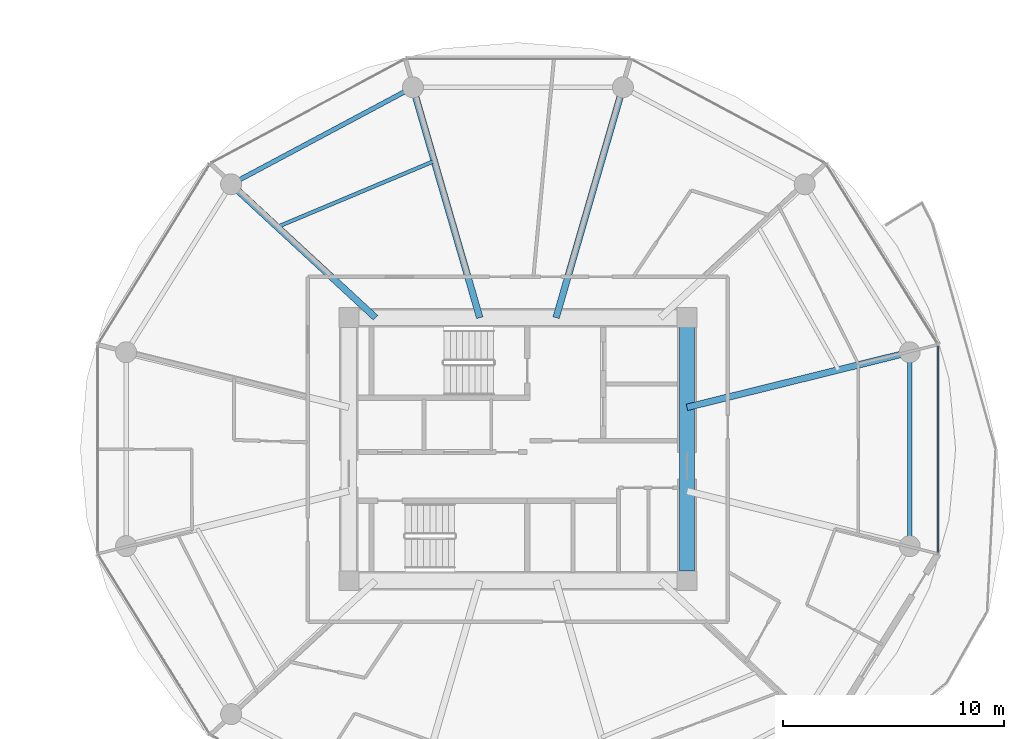
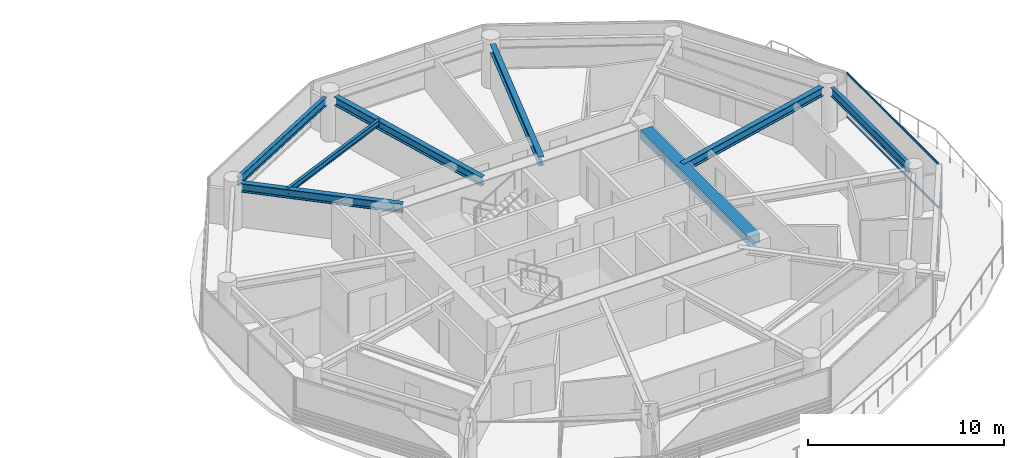
# One storey, part 12 of 27: 8 beams, 2 members, 1 element without a shape of its own.
"""IFC4 building model written with IfcOpenShell, lengths in metres."""

from ifc_helpers import new_model, si_unit, direction, frame, origin, origin_2d, place, context, subcontext, project, spatial, rectangle, i_section, extrude, source, transform, mapped, material, layer, layer_set, material_profile, profile_set, type_object, type_shapes, element, aggregate, save


model = new_model("IFC4")

# Units and contexts
model_context = context("Model", 3, precision=1e-05, world=origin(), true_north=direction((0.0, 1.0)))
body_context = subcontext(model_context, "Body", "Model", "MODEL_VIEW")
ifc_project = project(units=[si_unit("LENGTHUNIT", "METRE"), si_unit("AREAUNIT", "SQUARE_METRE"), si_unit("VOLUMEUNIT", "CUBIC_METRE"), si_unit("PLANEANGLEUNIT", "RADIAN"), si_unit("MASSUNIT", "GRAM", prefix="KILO")], contexts=[model_context])

# Site, building, storey
site_placement = place(None, origin())
site = spatial("IfcSite", under=ifc_project, at=site_placement, CompositionType="ELEMENT")
building_placement = place(site_placement, origin())
building = spatial("IfcBuilding", under=site, at=building_placement, Name="Norrkilde Senior Care Towers", CompositionType="ELEMENT")
storey_placement = place(building_placement, frame((0.0, 0.0, 30.75)))
storey = spatial("IfcBuildingStorey", under=building, at=storey_placement, Name="L08", CompositionType="ELEMENT", Elevation=30.75)

# Beams
ifc_material_1 = material(Name="Concrete C60/75", Category="concrete")
ifc_material_profile_1 = material_profile(ifc_material_1, rectangle(XDim=0.699951171875, YDim=0.550048828125, at=origin_2d()), Name="RC BM 700x550")
ifc_profile_set_1 = profile_set([ifc_material_profile_1], Name="Concrete C60/75")
beam_type_1 = type_object("IfcBeamType", Name="Core Portal Coupling Beam 700x550", PredefinedType="USERDEFINED", material=ifc_profile_set_1)
shared_shape_1 = source(origin(), body_context, "Body", "SweptSolid", [
    extrude(rectangle(XDim=0.699951171875, YDim=0.550048828125, at=origin_2d()), origin(), (0.0, 0.0, 1.0), 11.0400390625),
])
type_shapes(beam_type_1, [shared_shape_1])
beam_1_placement = place(storey_placement, frame((35.64990234375, -5.52001953125, 2.514892578125), z_axis=(0.0, 1.0, 0.0), x_axis=(-1.0, 0.0, 0.0)))
element("IfcBeam", 1, at=beam_1_placement, inside=storey, type_object=beam_type_1, Name="L08 Core E E Coupling Girder", ObjectType="GIRDER", PredefinedType="USERDEFINED", context=body_context, shape_type="MappedRepresentation", body=[
    mapped(shared_shape_1, transform((0.0, 0.0, 0.0), x_axis=(1.0, 0.0, 0.0), y_axis=(0.0, 1.0, 0.0), z_axis=(0.0, 0.0, 1.0), scale=1.0)),
])
ifc_material_2 = material(Name="Steel S355", Category="steel")
ifc_material_profile_2 = material_profile(ifc_material_2, i_section(OverallWidth=0.300048828125, OverallDepth=0.550048828125, WebThickness=0.014892578125, FlangeThickness=0.029052734375, FilletRadius=0.027099609375, at=origin_2d()), Name="HEB 550")
ifc_profile_set_2 = profile_set([ifc_material_profile_2], Name="Steel S355")
beam_type_2 = type_object("IfcBeamType", Name="Radial Floor Beam Z1 HEB550", PredefinedType="BEAM", material=ifc_profile_set_2)
shared_shape_2 = source(origin(), body_context, "Body", "SweptSolid", [
    extrude(i_section(OverallWidth=0.300048828125, OverallDepth=0.550048828125, WebThickness=0.014892578125, FlangeThickness=0.029052734375, FilletRadius=0.027099609375, at=origin_2d()), origin(), (0.0, 0.0, 1.0), 9.94384765625),
])
beam_2_placement = place(storey_placement, frame((35.64990234375, 1.893310546875, 2.514892578125), z_axis=(0.970707425182, 0.240264634718, 0.0), x_axis=(-0.240264634718, 0.970707425182, 0.0)))
element("IfcBeam", 2, at=beam_2_placement, inside=storey, type_object=beam_type_2, Name="L08 Drum E Radial Floor Beam 01", PredefinedType="BEAM", context=body_context, shape_type="MappedRepresentation", body=[
    mapped(shared_shape_2, transform((0.0, 0.0, 0.0), x_axis=(1.0, 0.0, 0.0), y_axis=(0.0, 1.0, 0.0), z_axis=(0.0, 0.0, 1.0), scale=1.0)),
])
ifc_material_profile_3 = material_profile(ifc_material_2, i_section(OverallWidth=0.2099609375, OverallDepth=0.550048828125, WebThickness=0.010986328125, FlangeThickness=0.01708984375, FilletRadius=0.02392578125, at=origin_2d()), Name="IPE 550")
ifc_profile_set_3 = profile_set([ifc_material_profile_3], Name="Steel S355")
beam_type_3 = type_object("IfcBeamType", Name="Perimeter Ring Spandrel Z1 IPE550", PredefinedType="SPANDREL", material=ifc_profile_set_3)
shared_shape_3 = source(origin(), body_context, "Body", "SweptSolid", [
    extrude(i_section(OverallWidth=0.2099609375, OverallDepth=0.550048828125, WebThickness=0.010986328125, FlangeThickness=0.01708984375, FilletRadius=0.02392578125, at=origin_2d()), origin(), (0.0, 0.0, 1.0), 8.452880859375),
])
beam_3_placement = place(storey_placement, frame((22.866943359375, 16.167724609375, 2.514892578125), z_axis=(-0.882368931134, -0.470558252898, 0.0), x_axis=(0.470558252898, -0.882368931134, 0.0)))
element("IfcBeam", 3, at=beam_3_placement, inside=storey, type_object=beam_type_3, Name="L08 Drum E Perimeter Spandrel 04", PredefinedType="SPANDREL", context=body_context, shape_type="MappedRepresentation", body=[
    mapped(shared_shape_3, transform((0.0, 0.0, 0.0), x_axis=(1.0, 0.0, 0.0), y_axis=(0.0, 1.0, 0.0), z_axis=(0.0, 0.0, 1.0), scale=1.0)),
])
shared_shape_4 = source(origin(), body_context, "Body", "SweptSolid", [
    extrude(i_section(OverallWidth=0.300048828125, OverallDepth=0.550048828125, WebThickness=0.014892578125, FlangeThickness=0.029052734375, FilletRadius=0.027099609375, at=origin_2d()), origin(), (0.0, 0.0, 1.0), 8.459716796875),
])
beam_4_placement = place(storey_placement, frame((21.55859375, 5.949951171875, 2.514892578125), z_axis=(-0.734573269108, 0.678529374686, 0.0), x_axis=(-0.678529374686, -0.734573269108, 0.0)))
element("IfcBeam", 4, at=beam_4_placement, inside=storey, type_object=beam_type_2, Name="L08 Drum E Radial Floor Beam 05", PredefinedType="BEAM", context=body_context, shape_type="MappedRepresentation", body=[
    mapped(shared_shape_4, transform((0.0, 0.0, 0.0), x_axis=(1.0, 0.0, 0.0), y_axis=(0.0, 1.0, 0.0), z_axis=(0.0, 0.0, 1.0), scale=1.0)),
])
shared_shape_5 = source(origin(), body_context, "Body", "SweptSolid", [
    extrude(i_section(OverallWidth=0.300048828125, OverallDepth=0.550048828125, WebThickness=0.014892578125, FlangeThickness=0.029052734375, FilletRadius=0.027099609375, at=origin_2d()), origin(), (0.0, 0.0, 1.0), 10.4169921875),
])
type_shapes(beam_type_2, [shared_shape_2, shared_shape_4, shared_shape_5])
for number, where, z_axis, x_axis, name in (
    (5, (29.72607421875, 5.949951171875, 2.514892578125), (0.278591250785, 0.960409764104, 0.0), (-0.960409764104, 0.278591250785, 0.0), "L08 Drum E Radial Floor Beam 03"),
    (6, (26.27392578125, 5.949951171875, 2.514892578125), (-0.278591250785, 0.960409764104, 0.0), (-0.960409764104, -0.278591250785, 0.0), "L08 Drum E Radial Floor Beam 04"),
):
    element("IfcBeam", number, at=place(storey_placement, frame(where, z_axis=z_axis, x_axis=x_axis)), inside=storey, type_object=beam_type_2, Name=name, PredefinedType="BEAM", context=body_context, shape_type="MappedRepresentation", body=[
        mapped(shared_shape_5, transform((0.0, 0.0, 0.0), x_axis=(1.0, 0.0, 0.0), y_axis=(0.0, 1.0, 0.0), z_axis=(0.0, 0.0, 1.0), scale=1.0)),
    ])
shared_shape_6 = source(origin(), body_context, "Body", "SweptSolid", [
    extrude(i_section(OverallWidth=0.2099609375, OverallDepth=0.550048828125, WebThickness=0.010986328125, FlangeThickness=0.01708984375, FilletRadius=0.02392578125, at=origin_2d()), origin(), (0.0, 0.0, 1.0), 7.90380859375),
])
type_shapes(beam_type_3, [shared_shape_3, shared_shape_6])
beam_5_placement = place(storey_placement, frame((45.724853515625, -3.951904296875, 2.514892578125), z_axis=(0.0, 1.0, 0.0), x_axis=(-1.0, 0.0, 0.0)))
element("IfcBeam", 7, at=beam_5_placement, inside=storey, type_object=beam_type_3, Name="L08 Drum E Perimeter Spandrel 12", PredefinedType="SPANDREL", context=body_context, shape_type="MappedRepresentation", body=[
    mapped(shared_shape_6, transform((0.0, 0.0, 0.0), x_axis=(1.0, 0.0, 0.0), y_axis=(0.0, 1.0, 0.0), z_axis=(0.0, 0.0, 1.0), scale=1.0)),
])
ifc_material_profile_4 = material_profile(ifc_material_2, i_section(OverallWidth=0.169921875, OverallDepth=0.360107421875, WebThickness=0.008056640625, FlangeThickness=0.0126953125, FilletRadius=0.01806640625, at=origin_2d()), Name="IPE 360")
ifc_profile_set_4 = profile_set([ifc_material_profile_4], Name="Steel S355")
beam_type_4 = type_object("IfcBeamType", Name="Secondary Floor Joist IPE360", PredefinedType="JOIST", material=ifc_profile_set_4)
shared_shape_7 = source(origin(), body_context, "Body", "SweptSolid", [
    extrude(i_section(OverallWidth=0.169921875, OverallDepth=0.360107421875, WebThickness=0.008056640625, FlangeThickness=0.0126953125, FilletRadius=0.01806640625, at=origin_2d()), origin(), (0.0, 0.0, 1.0), 7.703857421875),
])
type_shapes(beam_type_4, [shared_shape_7])
beam_6_placement = place(storey_placement, frame((24.21826171875, 13.037353515625, 2.610107421875), z_axis=(-0.921982784465, -0.387230868023, 0.0), x_axis=(0.387230868023, -0.921982784465, 0.0)))
element("IfcBeam", 8, at=beam_6_placement, inside=storey, type_object=beam_type_4, Name="L08 Drum E Secondary Floor Joist 2", PredefinedType="JOIST", context=body_context, shape_type="MappedRepresentation", body=[
    mapped(shared_shape_7, transform((0.0, 0.0, 0.0), x_axis=(1.0, 0.0, 0.0), y_axis=(0.0, 1.0, 0.0), z_axis=(0.0, 0.0, 1.0), scale=1.0)),
])

# Curtain wall, members
ifc_material_3 = material(Name="Triple Low-E Insulated Glazing", Category="glass")
ifc_layer = layer(ifc_material_3, 0.199951171875)
ifc_layer_set = layer_set([ifc_layer], Name="Triple Low-E Insulated Glazing")
curtain_wall_type = type_object("IfcCurtainWallType", Name="CW2 Zone 1 Memory Care Curtain Wall", PredefinedType="NOTDEFINED", material=ifc_layer_set)
curtain_wall_placement = place(storey_placement, origin())
curtain_wall = element("IfcCurtainWall", 9, at=curtain_wall_placement, inside=storey, type_object=curtain_wall_type, Name="L08 Drum E Curtain Wall 11", PredefinedType="NOTDEFINED")
ifc_material_4 = material(Name="Anodised Aluminium", Category="aluminium")
ifc_material_profile_5 = material_profile(ifc_material_4, rectangle(XDim=0.06005859375, YDim=0.1201171875, at=origin_2d()), Name="ALU TRAN 60x120")
ifc_profile_set_5 = profile_set([ifc_material_profile_5], Name="Anodised Aluminium")
member_type = type_object("IfcMemberType", Name="Curtain Wall Transom Typical 60x120", PredefinedType="USERDEFINED", material=ifc_profile_set_5)
shared_shape_8 = source(origin(), body_context, "Body", "SweptSolid", [
    extrude(rectangle(XDim=0.06005859375, YDim=0.1201171875, at=origin_2d()), origin(), (0.0, 0.0, 1.0), 9.33251953125),
])
type_shapes(member_type, [shared_shape_8])
member_1_placement = place(storey_placement, frame((47.009521484375, 4.666259765625, 0.030029296875), z_axis=(0.0, -1.0, 0.0), x_axis=(1.0, 0.0, 0.0)))
member_1 = element("IfcMember", 10, at=member_1_placement, type_object=member_type, Name="CW-2 transom 1.1", ObjectType="TRANSOM", PredefinedType="USERDEFINED", context=body_context, shape_type="MappedRepresentation", body=[
    mapped(shared_shape_8, transform((0.0, 0.0, 0.0), x_axis=(1.0, 0.0, 0.0), y_axis=(0.0, 1.0, 0.0), z_axis=(0.0, 0.0, 1.0), scale=1.0)),
])
member_2_placement = place(storey_placement, frame((47.009521484375, 4.666259765625, 2.760009765625), z_axis=(0.0, -1.0, 0.0), x_axis=(1.0, 0.0, 0.0)))
member_2 = element("IfcMember", 11, at=member_2_placement, type_object=member_type, Name="CW-2 transom 1.2", ObjectType="TRANSOM", PredefinedType="USERDEFINED", context=body_context, shape_type="MappedRepresentation", body=[
    mapped(shared_shape_8, transform((0.0, 0.0, 0.0), x_axis=(1.0, 0.0, 0.0), y_axis=(0.0, 1.0, 0.0), z_axis=(0.0, 0.0, 1.0), scale=1.0)),
])
aggregate(curtain_wall, [member_1, member_2])

save(model, "model.ifc")
